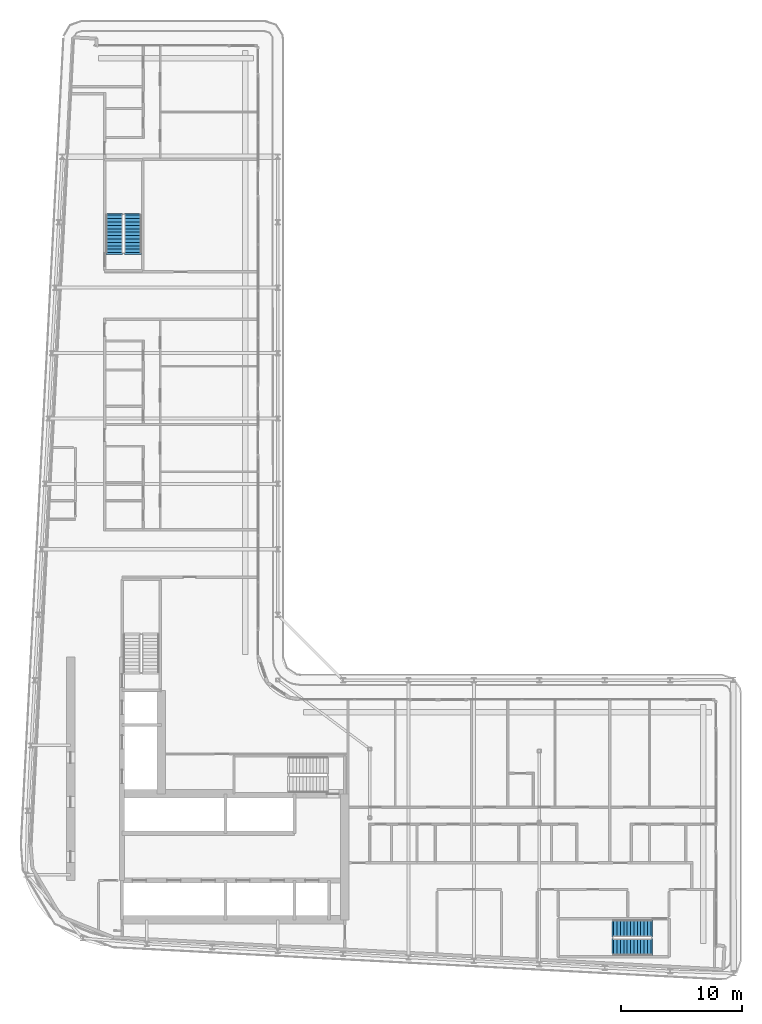
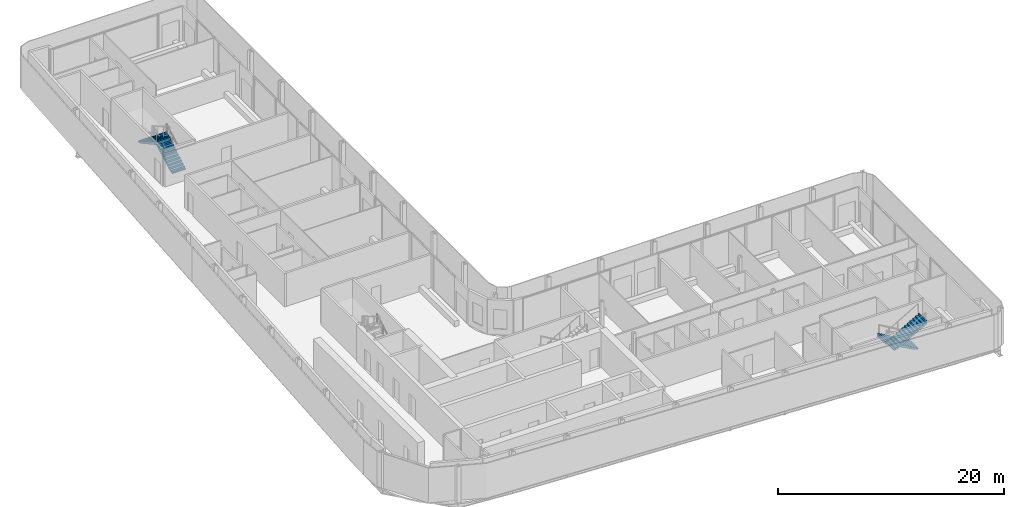
# One storey, part 16 of 23: 4 stair flights, 2 elements without a shape of their own.
"""IFC4 building model written with IfcOpenShell, lengths in metres."""

from ifc_helpers import new_model, si_unit, direction, frame, origin, place, context, subcontext, project, spatial, polyline, outline, extrude, material, layer, layer_set, type_object, element, aggregate, save


model = new_model("IFC4")

# Units and contexts
model_context = context("Model", 3, precision=1e-05, world=origin(), true_north=direction((0.0, 1.0)))
body_context = subcontext(model_context, "Body", "Model", "MODEL_VIEW")
ifc_project = project(units=[si_unit("LENGTHUNIT", "METRE"), si_unit("AREAUNIT", "SQUARE_METRE"), si_unit("VOLUMEUNIT", "CUBIC_METRE"), si_unit("PLANEANGLEUNIT", "RADIAN"), si_unit("MASSUNIT", "GRAM", prefix="KILO")], contexts=[model_context])

# Site, building, storey
site_placement = place(None, origin())
site = spatial("IfcSite", under=ifc_project, at=site_placement, CompositionType="ELEMENT")
building_placement = place(site_placement, origin())
building = spatial("IfcBuilding", under=site, at=building_placement, Name="Kheshtan School and Residences Tower", CompositionType="ELEMENT")
storey_placement = place(building_placement, frame((0.0, 0.0, 247.39990234375)))
storey = spatial("IfcBuildingStorey", under=building, at=storey_placement, Name="L58", CompositionType="ELEMENT", Elevation=247.39990234375)

# Stair, stair flights
ifc_material = material(Name="Concrete C40/50", Category="concrete")
stair_type = type_object("IfcStairType", Name="Exit stair, half-turn", PredefinedType="HALF_TURN_STAIR", material=ifc_material)
stair_1_placement = place(storey_placement, origin())
stair_1 = element("IfcStair", 1, at=stair_1_placement, inside=storey, type_object=stair_type, Name="L58 Protected Exit Stair ST3", PredefinedType="HALF_TURN_STAIR")
ifc_layer = layer(ifc_material, 0.14990234375)
ifc_layer_set = layer_set([ifc_layer], Name="Stair flight 1400 Concrete C40/50")
stair_flight_type = type_object("IfcStairFlightType", Name="Stair flight 1400 Concrete C40/50", PredefinedType="STRAIGHT", material=ifc_layer_set)
stair_flight_1_placement = place(storey_placement, frame((35.64990234375, 80.89990234375, 0.0), z_axis=(0.0, 0.0, 1.0), x_axis=(0.0, 1.0, 0.0)))
stair_flight_1 = element("IfcStairFlight", 2, at=stair_flight_1_placement, type_object=stair_flight_type, Name="ST3 flight 1", NumberOfRisers=12, NumberOfTreads=11, PredefinedType="STRAIGHT", RiserHeight=0.1625, TreadLength=0.28, context=body_context, shape_type="SweptSolid", body=[
    extrude(outline(polyline([(-0.14990234375, -0.10009765625), (-0.14990234375, 0.0), (0.0, 0.0), (0.0, 0.16259765625), (0.280029296875, 0.16259765625), (0.280029296875, 0.324951171875), (0.56005859375, 0.324951171875), (0.56005859375, 0.487548828125), (0.840087890625, 0.487548828125), (0.840087890625, 0.64990234375), (1.1201171875, 0.64990234375), (1.1201171875, 0.8125), (1.39990234375, 0.8125), (1.39990234375, 0.97509765625), (1.679931640625, 0.97509765625), (1.679931640625, 1.137451171875), (1.9599609375, 1.137451171875), (1.9599609375, 1.300048828125), (2.239990234375, 1.300048828125), (2.239990234375, 1.46240234375), (2.52001953125, 1.46240234375), (2.52001953125, 1.625), (2.800048828125, 1.625), (2.800048828125, 1.78759765625), (3.080078125, 1.78759765625), (3.080078125, 1.949951171875), (3.080078125, 1.969970703125), (3.22998046875, 1.969970703125), (3.22998046875, 1.6142578125), (0.298583984375, 0.0), (-0.14990234375, -0.10009765625)])), frame((0.0, 0.699951171875, 0.0), z_axis=(0.0, -1.0, 0.0), x_axis=(1.0, 0.0, 0.0)), (0.0, 0.0, 1.0), 1.39990234375),
])
stair_flight_2_placement = place(storey_placement, frame((34.10009765625, 83.97998046875, 1.9501953125), z_axis=(0.0, 0.0, 1.0), x_axis=(0.0, -1.0, 0.0)))
stair_flight_2 = element("IfcStairFlight", 3, at=stair_flight_2_placement, type_object=stair_flight_type, Name="ST3 flight 2", NumberOfRisers=12, NumberOfTreads=11, PredefinedType="STRAIGHT", RiserHeight=0.1625, TreadLength=0.28, context=body_context, shape_type="SweptSolid", body=[
    extrude(outline(polyline([(-0.14990234375, -0.10009765625), (-0.14990234375, 0.0), (0.0, 0.0), (0.0, 0.16259765625), (0.280029296875, 0.16259765625), (0.280029296875, 0.324951171875), (0.56005859375, 0.324951171875), (0.56005859375, 0.487548828125), (0.840087890625, 0.487548828125), (0.840087890625, 0.64990234375), (1.1201171875, 0.64990234375), (1.1201171875, 0.8125), (1.39990234375, 0.8125), (1.39990234375, 0.97509765625), (1.679931640625, 0.97509765625), (1.679931640625, 1.137451171875), (1.9599609375, 1.137451171875), (1.9599609375, 1.300048828125), (2.239990234375, 1.300048828125), (2.239990234375, 1.46240234375), (2.52001953125, 1.46240234375), (2.52001953125, 1.625), (2.800048828125, 1.625), (2.800048828125, 1.78759765625), (3.080078125, 1.78759765625), (3.080078125, 1.949951171875), (3.080078125, 1.969970703125), (3.22998046875, 1.969970703125), (3.22998046875, 1.6142578125), (0.298583984375, 0.0), (-0.14990234375, -0.10009765625)])), frame((0.0, 0.699951171875, 0.0), z_axis=(0.0, -1.0, 0.0), x_axis=(1.0, 0.0, 0.0)), (0.0, 0.0, 1.0), 1.39990234375),
])
aggregate(stair_1, [stair_flight_1, stair_flight_2])

stair_2_placement = place(storey_placement, origin())
stair_2 = element("IfcStair", 4, at=stair_2_placement, inside=storey, type_object=stair_type, Name="L58 Protected Exit Stair ST5", PredefinedType="HALF_TURN_STAIR")
stair_flight_3_placement = place(storey_placement, frame((78.409912109375, 25.10009765625, 0.0), z_axis=(0.0, 0.0, 1.0), x_axis=(-1.0, 0.0, 0.0)))
stair_flight_3 = element("IfcStairFlight", 5, at=stair_flight_3_placement, type_object=stair_flight_type, Name="ST5 flight 1", NumberOfRisers=12, NumberOfTreads=11, PredefinedType="STRAIGHT", RiserHeight=0.1625, TreadLength=0.28, context=body_context, shape_type="SweptSolid", body=[
    extrude(outline(polyline([(-0.14990234375, -0.10009765625), (-0.14990234375, 0.0), (0.0, 0.0), (0.0, 0.16259765625), (0.280029296875, 0.16259765625), (0.280029296875, 0.324951171875), (0.56005859375, 0.324951171875), (0.56005859375, 0.487548828125), (0.840087890625, 0.487548828125), (0.840087890625, 0.64990234375), (1.1201171875, 0.64990234375), (1.1201171875, 0.8125), (1.39990234375, 0.8125), (1.39990234375, 0.97509765625), (1.679931640625, 0.97509765625), (1.679931640625, 1.137451171875), (1.9599609375, 1.137451171875), (1.9599609375, 1.300048828125), (2.239990234375, 1.300048828125), (2.239990234375, 1.46240234375), (2.52001953125, 1.46240234375), (2.52001953125, 1.625), (2.800048828125, 1.625), (2.800048828125, 1.78759765625), (3.080078125, 1.78759765625), (3.080078125, 1.949951171875), (3.080078125, 1.969970703125), (3.22998046875, 1.969970703125), (3.22998046875, 1.6142578125), (0.298583984375, 0.0), (-0.14990234375, -0.10009765625)])), frame((0.0, 0.699951171875, 0.0), z_axis=(0.0, -1.0, 0.0), x_axis=(1.0, 0.0, 0.0)), (0.0, 0.0, 1.0), 1.39990234375),
])
stair_flight_4_placement = place(storey_placement, frame((75.330078125, 23.550048828125, 1.9501953125), z_axis=(0.0, 0.0, 1.0), x_axis=(1.0, 0.0, 0.0)))
stair_flight_4 = element("IfcStairFlight", 6, at=stair_flight_4_placement, type_object=stair_flight_type, Name="ST5 flight 2", NumberOfRisers=12, NumberOfTreads=11, PredefinedType="STRAIGHT", RiserHeight=0.1625, TreadLength=0.28, context=body_context, shape_type="SweptSolid", body=[
    extrude(outline(polyline([(-0.14990234375, -0.10009765625), (-0.14990234375, 0.0), (0.0, 0.0), (0.0, 0.16259765625), (0.280029296875, 0.16259765625), (0.280029296875, 0.324951171875), (0.56005859375, 0.324951171875), (0.56005859375, 0.487548828125), (0.840087890625, 0.487548828125), (0.840087890625, 0.64990234375), (1.1201171875, 0.64990234375), (1.1201171875, 0.8125), (1.39990234375, 0.8125), (1.39990234375, 0.97509765625), (1.679931640625, 0.97509765625), (1.679931640625, 1.137451171875), (1.9599609375, 1.137451171875), (1.9599609375, 1.300048828125), (2.239990234375, 1.300048828125), (2.239990234375, 1.46240234375), (2.52001953125, 1.46240234375), (2.52001953125, 1.625), (2.800048828125, 1.625), (2.800048828125, 1.78759765625), (3.080078125, 1.78759765625), (3.080078125, 1.949951171875), (3.080078125, 1.969970703125), (3.22998046875, 1.969970703125), (3.22998046875, 1.6142578125), (0.298583984375, 0.0), (-0.14990234375, -0.10009765625)])), frame((0.0, 0.699951171875, 0.0), z_axis=(0.0, -1.0, 0.0), x_axis=(1.0, 0.0, 0.0)), (0.0, 0.0, 1.0), 1.39990234375),
])
aggregate(stair_2, [stair_flight_3, stair_flight_4])

save(model, "model.ifc")
